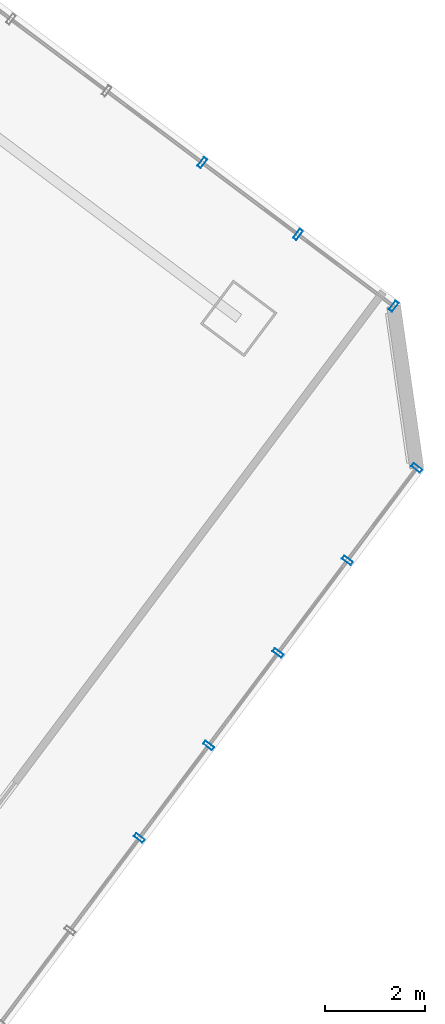
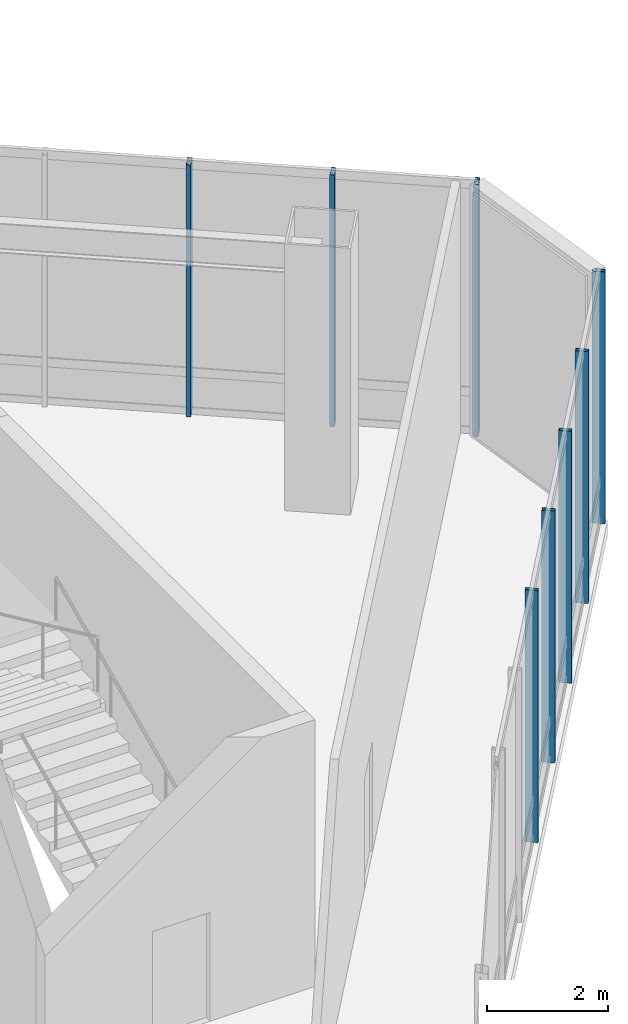
# One storey, part 23 of 35: 8 members, 2 elements without a shape of their own.
"""IFC4 building model written with IfcOpenShell, lengths in metres."""

from ifc_helpers import new_model, si_unit, direction, frame, origin, origin_2d, place, context, subcontext, project, spatial, hollow_rectangle, extrude, material, layer, layer_set, material_profile, profile_set, type_object, element, aggregate, save


model = new_model("IFC4")

# Units and contexts
model_context = context("Model", 3, precision=1e-05, world=origin(), true_north=direction((0.0, 1.0)))
body_context = subcontext(model_context, "Body", "Model", "MODEL_VIEW")
ifc_project = project(units=[si_unit("LENGTHUNIT", "METRE"), si_unit("AREAUNIT", "SQUARE_METRE"), si_unit("VOLUMEUNIT", "CUBIC_METRE"), si_unit("PLANEANGLEUNIT", "RADIAN"), si_unit("MASSUNIT", "GRAM", prefix="KILO")], contexts=[model_context])

# Site, building, storey
site_placement = place(None, origin())
site = spatial("IfcSite", under=ifc_project, at=site_placement, CompositionType="ELEMENT")
building_placement = place(site_placement, origin())
building = spatial("IfcBuilding", under=site, at=building_placement, Name="Hatsunagi Terrace Concourse", CompositionType="ELEMENT")
storey_placement = place(building_placement, frame((0.0, 0.0, 5.39990234375)))
storey = spatial("IfcBuildingStorey", under=building, at=storey_placement, Name="L02", CompositionType="ELEMENT", Elevation=5.39990234375)

# Curtain wall, members
ifc_material_1 = material(Name="Anodised Aluminium Alloy 6063-T5", Category="aluminium")
ifc_layer = layer(ifc_material_1, 0.199951171875)
ifc_layer_set = layer_set([ifc_layer], Name="PodiumStorefront_CW01")
curtain_wall_type = type_object("IfcCurtainWallType", Name="PodiumStorefront_CW01", PredefinedType="NOTDEFINED", material=ifc_layer_set)
curtain_wall_1_placement = place(storey_placement, origin())
curtain_wall_1 = element("IfcCurtainWall", 1, at=curtain_wall_1_placement, inside=storey, type_object=curtain_wall_type, Name="Unitised Curtain Wall CW-01 CW-L02-01", PredefinedType="NOTDEFINED")
ifc_material_2 = material(Name="Anodised Aluminium Alloy 6063-T5", Category="aluminium")
ifc_material_profile = material_profile(ifc_material_2, hollow_rectangle(XDim=0.080078125, YDim=0.219970703125, WallThickness=0.0048828125, at=origin_2d()), Name="ALU-MUL-220x80x5")
ifc_profile_set = profile_set([ifc_material_profile], Name="Anodised Aluminium Alloy 6063-T5")
member_type = type_object("IfcMemberType", Name="CurtainWallMullion_Heavy_220x80", PredefinedType="MULLION", material=ifc_profile_set)
member_1_placement = place(storey_placement, frame((65.988037109375, 24.884033203125, 0.0), z_axis=(0.0, 0.0, 1.0), x_axis=(0.800007305671, -0.599990258982, 0.0)))
member_1 = element("IfcMember", 2, at=member_1_placement, type_object=member_type, Name="Curtain Wall Mullion MUL-01", PredefinedType="MULLION", context=body_context, shape_type="SweptSolid", body=[
    extrude(hollow_rectangle(XDim=0.080078125, YDim=0.219970703125, WallThickness=0.0048828125, at=origin_2d()), origin(), (0.0, 0.0, 1.0), 5.10009765625),
])
member_2_placement = place(storey_placement, frame((67.908935546875, 23.444091796875, 0.0), z_axis=(0.0, 0.0, 1.0), x_axis=(0.800007305671, -0.599990258982, 0.0)))
member_2 = element("IfcMember", 3, at=member_2_placement, type_object=member_type, Name="Curtain Wall Mullion MUL-01", PredefinedType="MULLION", context=body_context, shape_type="SweptSolid", body=[
    extrude(hollow_rectangle(XDim=0.080078125, YDim=0.219970703125, WallThickness=0.0048828125, at=origin_2d()), origin(), (0.0, 0.0, 1.0), 5.10009765625),
])
member_3_placement = place(storey_placement, frame((69.830078125, 22.0029296875, 0.0), z_axis=(0.0, 0.0, 1.0), x_axis=(0.800007305671, -0.599990258982, 0.0)))
member_3 = element("IfcMember", 4, at=member_3_placement, type_object=member_type, Name="Curtain Wall Mullion MUL-01", PredefinedType="MULLION", context=body_context, shape_type="SweptSolid", body=[
    extrude(hollow_rectangle(XDim=0.080078125, YDim=0.219970703125, WallThickness=0.0048828125, at=origin_2d()), origin(), (0.0, 0.0, 1.0), 5.10009765625),
])
aggregate(curtain_wall_1, [member_1, member_2, member_3])

curtain_wall_2_placement = place(storey_placement, origin())
curtain_wall_2 = element("IfcCurtainWall", 5, at=curtain_wall_2_placement, inside=storey, type_object=curtain_wall_type, Name="Unitised Curtain Wall CW-01 CW-L02-03", PredefinedType="NOTDEFINED")
member_4_placement = place(storey_placement, frame((70.29296875, 18.758056640625, 0.0), z_axis=(0.0, 0.0, 1.0), x_axis=(-0.599969314634, -0.800023013105, 0.0)))
member_4 = element("IfcMember", 6, at=member_4_placement, type_object=member_type, Name="Curtain Wall Mullion MUL-01", PredefinedType="MULLION", context=body_context, shape_type="SweptSolid", body=[
    extrude(hollow_rectangle(XDim=0.080078125, YDim=0.219970703125, WallThickness=0.0048828125, at=origin_2d()), origin(), (0.0, 0.0, 1.0), 5.10009765625),
])
member_5_placement = place(storey_placement, frame((68.90087890625, 16.902099609375, 0.0), z_axis=(0.0, 0.0, 1.0), x_axis=(-0.599969314634, -0.800023013105, 0.0)))
member_5 = element("IfcMember", 7, at=member_5_placement, type_object=member_type, Name="Curtain Wall Mullion MUL-01", PredefinedType="MULLION", context=body_context, shape_type="SweptSolid", body=[
    extrude(hollow_rectangle(XDim=0.080078125, YDim=0.219970703125, WallThickness=0.0048828125, at=origin_2d()), origin(), (0.0, 0.0, 1.0), 5.10009765625),
])
member_6_placement = place(storey_placement, frame((67.509033203125, 15.044921875, 0.0), z_axis=(0.0, 0.0, 1.0), x_axis=(-0.599969314634, -0.800023013105, 0.0)))
member_6 = element("IfcMember", 8, at=member_6_placement, type_object=member_type, Name="Curtain Wall Mullion MUL-01", PredefinedType="MULLION", context=body_context, shape_type="SweptSolid", body=[
    extrude(hollow_rectangle(XDim=0.080078125, YDim=0.219970703125, WallThickness=0.0048828125, at=origin_2d()), origin(), (0.0, 0.0, 1.0), 5.10009765625),
])
member_7_placement = place(storey_placement, frame((66.115966796875, 13.18896484375, 0.0), z_axis=(0.0, 0.0, 1.0), x_axis=(-0.599969314634, -0.800023013105, 0.0)))
member_7 = element("IfcMember", 9, at=member_7_placement, type_object=member_type, Name="Curtain Wall Mullion MUL-01", PredefinedType="MULLION", context=body_context, shape_type="SweptSolid", body=[
    extrude(hollow_rectangle(XDim=0.080078125, YDim=0.219970703125, WallThickness=0.0048828125, at=origin_2d()), origin(), (0.0, 0.0, 1.0), 5.10009765625),
])
member_8_placement = place(storey_placement, frame((64.72412109375, 11.33203125, 0.0), z_axis=(0.0, 0.0, 1.0), x_axis=(-0.599969314634, -0.800023013105, 0.0)))
member_8 = element("IfcMember", 10, at=member_8_placement, type_object=member_type, Name="Curtain Wall Mullion MUL-01", PredefinedType="MULLION", context=body_context, shape_type="SweptSolid", body=[
    extrude(hollow_rectangle(XDim=0.080078125, YDim=0.219970703125, WallThickness=0.0048828125, at=origin_2d()), origin(), (0.0, 0.0, 1.0), 5.10009765625),
])
aggregate(curtain_wall_2, [member_4, member_5, member_6, member_7, member_8])

save(model, "model.ifc")
